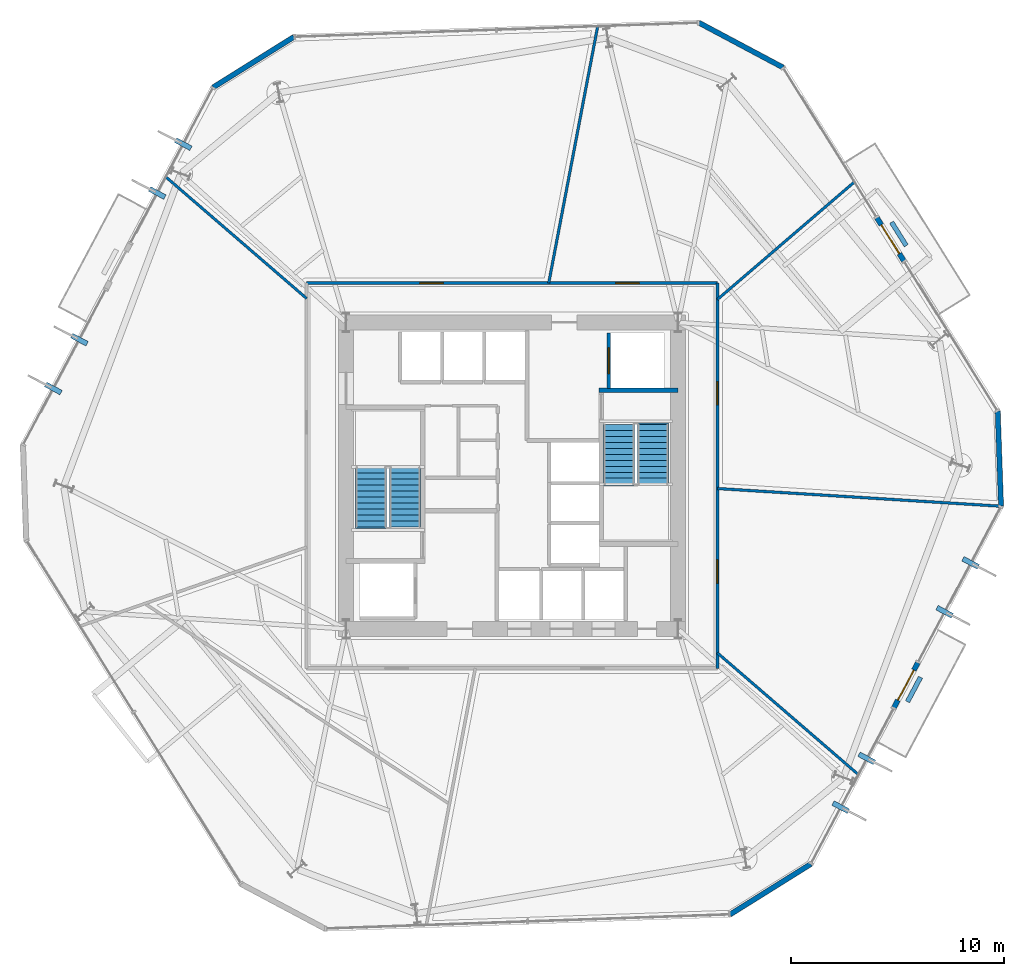
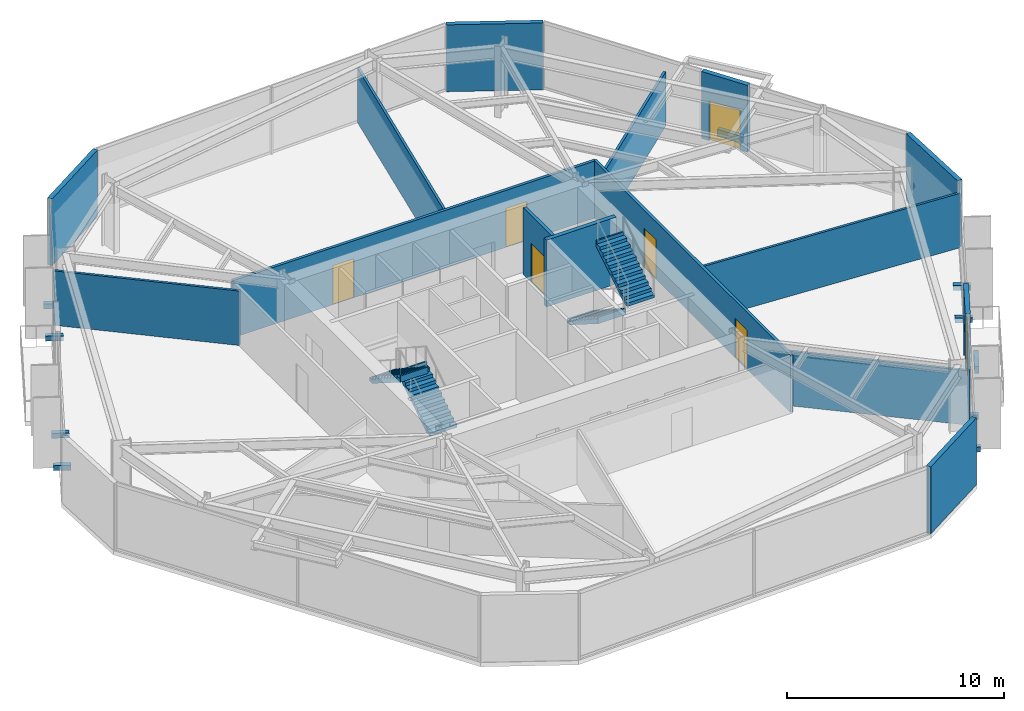
# One storey, part 7 of 10: 17 walls, 8 discrete accessories, 7 doors, 4 stair flights, 7 openings, 2 elements without a shape of their own.
"""IFC4 building model written with IfcOpenShell, lengths in metres."""

from ifc_helpers import new_model, si_unit, direction, frame, frame_2d, origin, origin_2d, place, context, subcontext, project, spatial, polyline, rectangle, outline, extrude, material, layer, layer_set, type_object, element, fill, aggregate, save


model = new_model("IFC4")

# Units and contexts
model_context = context("Model", 3, precision=1e-05, world=origin(), true_north=direction((0.0, 1.0)))
body_context = subcontext(model_context, "Body", "Model", "MODEL_VIEW")
ifc_project = project(units=[si_unit("LENGTHUNIT", "METRE"), si_unit("AREAUNIT", "SQUARE_METRE"), si_unit("VOLUMEUNIT", "CUBIC_METRE"), si_unit("PLANEANGLEUNIT", "RADIAN"), si_unit("MASSUNIT", "GRAM", prefix="KILO")], contexts=[model_context])

# Site, building, storey
site_placement = place(None, origin())
site = spatial("IfcSite", under=ifc_project, at=site_placement, CompositionType="ELEMENT")
building_placement = place(site_placement, origin())
building = spatial("IfcBuilding", under=site, at=building_placement, Name="Kranzbogen Civic Tower", CompositionType="ELEMENT")
storey_placement = place(building_placement, frame((0.0, 0.0, 28.0)))
storey = spatial("IfcBuildingStorey", under=building, at=storey_placement, Name="L06", CompositionType="ELEMENT", Elevation=28.0)

# Wall, openings, doors
ifc_material_1 = material(Name="Double-Stud Acoustic Gypsum Partition")
ifc_layer_1 = layer(ifc_material_1, 0.14990234375, Name="Double-Stud Acoustic Gypsum Partition")
ifc_layer_set_1 = layer_set([ifc_layer_1], Name="Double-Stud Acoustic Gypsum Partition")
wall_type_1 = type_object("IfcWallType", Name="Acoustic Corridor and Clinical Partition 150 mm", PredefinedType="PARTITIONING", material=ifc_layer_set_1)
wall_1_placement = place(storey_placement, frame((15.35009765625, 34.050048828125, 0.0), z_axis=(0.0, 0.0, 1.0), x_axis=(1.0, 0.0, 0.0)))
wall_1 = element("IfcWall", 1, at=wall_1_placement, inside=storey, type_object=wall_type_1, Name="L06 corridor partition 01", PredefinedType="PARTITIONING", context=body_context, shape_type="SweptSolid", body=[
    extrude(rectangle(XDim=19.2998046875, YDim=0.14990234375, at=frame_2d((9.64990234375, 0.0))), origin(), (0.0, 0.0, 1.0), 3.2099609375),
])
opening_1_placement = place(wall_1_placement, frame((14.52294921875, 0.0, 0.0)))
opening_1 = element("IfcOpeningElement", 2, at=opening_1_placement, cuts=wall_1, Name="Opening D-COR60", PredefinedType="OPENING", context=body_context, shape_type="SweptSolid", body=[
    extrude(rectangle(XDim=1.10009765625, YDim=2.199951171875, at=frame_2d((0.550048828125, 1.10009765625))), frame((0.0, 0.0849609375, 0.0), z_axis=(0.0, -1.0, 0.0), x_axis=(1.0, 0.0, 0.0)), (0.0, 0.0, 1.0), 0.169921875),
])
opening_2_placement = place(wall_1_placement, frame((5.326904296875, 0.0, 0.0)))
opening_2 = element("IfcOpeningElement", 3, at=opening_2_placement, cuts=wall_1, Name="Opening D-COR60", PredefinedType="OPENING", context=body_context, shape_type="SweptSolid", body=[
    extrude(rectangle(XDim=1.10009765625, YDim=2.199951171875, at=frame_2d((0.550048828125, 1.10009765625))), frame((0.0, 0.0849609375, 0.0), z_axis=(0.0, -1.0, 0.0), x_axis=(1.0, 0.0, 0.0)), (0.0, 0.0, 1.0), 0.169921875),
])
ifc_material_2 = material(Name="Oak Timber and Fire Core", Category="wood")
door_type_1 = type_object("IfcDoorType", Name="Corridor Acoustic Fire Door 1100x2200", OperationType="NOTDEFINED", PredefinedType="DOOR", material=ifc_material_2)
door_1_placement = place(opening_1_placement, origin())
door_1 = element("IfcDoor", 4, at=door_1_placement, inside=storey, type_object=door_type_1, Name="L06 Policy Seminar Room door", OperationType="SINGLE_SWING_RIGHT", OverallHeight=2.199951171875, OverallWidth=1.10009765625, PredefinedType="DOOR", context=body_context, shape_type="SweptSolid", body=[
    extrude(rectangle(XDim=1.10009765625, YDim=2.199951171875, at=frame_2d((0.550048828125, 1.10009765625))), frame((0.0, 0.02490234375, 0.0), z_axis=(0.0, -1.0, 0.0), x_axis=(1.0, 0.0, 0.0)), (0.0, 0.0, 1.0), 0.050048828125),
])
fill(opening_1, door_1)
door_2_placement = place(opening_2_placement, origin())
door_2 = element("IfcDoor", 5, at=door_2_placement, inside=storey, type_object=door_type_1, Name="L06 Delegates Sitting Lounge door", OperationType="SINGLE_SWING_LEFT", OverallHeight=2.199951171875, OverallWidth=1.10009765625, PredefinedType="DOOR", context=body_context, shape_type="SweptSolid", body=[
    extrude(rectangle(XDim=1.10009765625, YDim=2.199951171875, at=frame_2d((0.550048828125, 1.10009765625))), frame((0.0, 0.02490234375, 0.0), z_axis=(0.0, -1.0, 0.0), x_axis=(1.0, 0.0, 0.0)), (0.0, 0.0, 1.0), 0.050048828125),
])
fill(opening_2, door_2)

wall_2_placement = place(storey_placement, frame((34.64990234375, 34.050048828125, 0.0), z_axis=(0.0, 0.0, 1.0), x_axis=(0.0, -1.0, 0.0)))
wall_2 = element("IfcWall", 6, at=wall_2_placement, inside=storey, type_object=wall_type_1, Name="L06 corridor partition 02", PredefinedType="PARTITIONING", context=body_context, shape_type="SweptSolid", body=[
    extrude(rectangle(XDim=18.10009765625, YDim=0.14990234375, at=frame_2d((9.050048828125, 0.0))), origin(), (0.0, 0.0, 1.0), 3.2099609375),
])
opening_3_placement = place(wall_2_placement, frame((13.006103515625, 0.0, 0.0)))
opening_3 = element("IfcOpeningElement", 7, at=opening_3_placement, cuts=wall_2, Name="Opening D-COR60", PredefinedType="OPENING", context=body_context, shape_type="SweptSolid", body=[
    extrude(rectangle(XDim=1.10009765625, YDim=2.199951171875, at=frame_2d((0.550048828125, 1.10009765625))), frame((0.0, 0.0849609375, 0.0), z_axis=(0.0, -1.0, 0.0), x_axis=(1.0, 0.0, 0.0)), (0.0, 0.0, 1.0), 0.169921875),
])
opening_4_placement = place(wall_2_placement, frame((4.6259765625, 0.0, 0.0)))
opening_4 = element("IfcOpeningElement", 8, at=opening_4_placement, cuts=wall_2, Name="Opening D-COR60", PredefinedType="OPENING", context=body_context, shape_type="SweptSolid", body=[
    extrude(rectangle(XDim=1.10009765625, YDim=2.199951171875, at=frame_2d((0.550048828125, 1.10009765625))), frame((0.0, 0.0849609375, 0.0), z_axis=(0.0, -1.0, 0.0), x_axis=(1.0, 0.0, 0.0)), (0.0, 0.0, 1.0), 0.169921875),
])
door_3_placement = place(opening_3_placement, origin())
door_3 = element("IfcDoor", 9, at=door_3_placement, inside=storey, type_object=door_type_1, Name="L06 Executive Briefing Conference Room door", OperationType="SINGLE_SWING_RIGHT", OverallHeight=2.199951171875, OverallWidth=1.10009765625, PredefinedType="DOOR", context=body_context, shape_type="SweptSolid", body=[
    extrude(rectangle(XDim=1.10009765625, YDim=2.199951171875, at=frame_2d((0.550048828125, 1.10009765625))), frame((0.0, 0.02490234375, 0.0), z_axis=(0.0, -1.0, 0.0), x_axis=(1.0, 0.0, 0.0)), (0.0, 0.0, 1.0), 0.050048828125),
])
fill(opening_3, door_3)
door_4_placement = place(opening_4_placement, origin())
door_4 = element("IfcDoor", 10, at=door_4_placement, inside=storey, type_object=door_type_1, Name="L06 Parliamentary Review Boardroom door", OperationType="SINGLE_SWING_LEFT", OverallHeight=2.199951171875, OverallWidth=1.10009765625, PredefinedType="DOOR", context=body_context, shape_type="SweptSolid", body=[
    extrude(rectangle(XDim=1.10009765625, YDim=2.199951171875, at=frame_2d((0.550048828125, 1.10009765625))), frame((0.0, 0.02490234375, 0.0), z_axis=(0.0, -1.0, 0.0), x_axis=(1.0, 0.0, 0.0)), (0.0, 0.0, 1.0), 0.050048828125),
])
fill(opening_4, door_4)

# Walls
ifc_material_3 = material(Name="Insulated Metal-Stud Gypsum Partition")
ifc_layer_2 = layer(ifc_material_3, 0.125, Name="Insulated Metal-Stud Gypsum Partition")
ifc_layer_set_2 = layer_set([ifc_layer_2], Name="Insulated Metal-Stud Gypsum Partition")
wall_type_2 = type_object("IfcWallType", Name="Acoustic Inter-Room Partition 125 mm", PredefinedType="PARTITIONING", material=ifc_layer_set_2)
wall_3_placement = place(storey_placement, frame((34.64990234375, 33.278076171875, 0.0), z_axis=(0.0, 0.0, 1.0), x_axis=(0.758961436241, 0.651135575974, 0.0)))
element("IfcWall", 11, at=wall_3_placement, inside=storey, type_object=wall_type_2, Name="L06 radial room partition 01", PredefinedType="PARTITIONING", context=body_context, shape_type="SweptSolid", body=[
    extrude(rectangle(XDim=8.46826171875, YDim=0.125, at=frame_2d((4.234130859375, 0.0))), origin(), (0.0, 0.0, 1.0), 3.050048828125),
])
wall_4_placement = place(storey_placement, frame((26.72509765625, 34.050048828125, 0.0), z_axis=(0.0, 0.0, 1.0), x_axis=(0.187302392837, 0.982302302572, 0.0)))
element("IfcWall", 12, at=wall_4_placement, inside=storey, type_object=wall_type_2, Name="L06 radial room partition 02", PredefinedType="PARTITIONING", context=body_context, shape_type="SweptSolid", body=[
    extrude(rectangle(XDim=12.262939453125, YDim=0.125, at=frame_2d((6.13134765625, 0.0))), origin(), (0.0, 0.0, 1.0), 3.06005859375),
])
for number, where, z_axis, x_axis, name in (
    (13, (15.35009765625, 33.327880859375, 0.0), (0.0, 0.0, 1.0), (-0.757044964205, 0.65336277991, 0.0), "L06 radial room partition 03"),
    (14, (34.64990234375, 16.672119140625, 0.0), (0.0, 0.0, 1.0), (0.757044964205, -0.65336277991, 0.0), "L06 radial room partition 06"),
):
    element("IfcWall", number, at=place(storey_placement, frame(where, z_axis=z_axis, x_axis=x_axis)), inside=storey, type_object=wall_type_2, Name=name, PredefinedType="PARTITIONING", context=body_context, shape_type="SweptSolid", body=[
        extrude(rectangle(XDim=8.728759765625, YDim=0.125, at=frame_2d((4.3642578125, 0.0))), origin(), (0.0, 0.0, 1.0), 3.06005859375),
    ])
wall_5_placement = place(storey_placement, frame((34.64990234375, 24.39697265625, 0.0), z_axis=(0.0, 0.0, 1.0), x_axis=(0.998055285193, -0.062334963686, 0.0)))
element("IfcWall", 15, at=wall_5_placement, inside=storey, type_object=wall_type_2, Name="L06 radial room partition 07", PredefinedType="PARTITIONING", context=body_context, shape_type="SweptSolid", body=[
    extrude(rectangle(XDim=13.33203125, YDim=0.125, at=frame_2d((6.666015625, 0.0))), origin(), (0.0, 0.0, 1.0), 3.06005859375),
])
ifc_material_4 = material(Name="Architectural Precast Terracotta Concrete C40/50", Category="masonry")
ifc_layer_3 = layer(ifc_material_4, 0.219970703125, Name="Architectural Precast Terracotta Concrete C40/50")
ifc_layer_set_3 = layer_set([ifc_layer_3], Name="Architectural Precast Terracotta Concrete C40/50")
wall_type_3 = type_object("IfcWallType", Name="Architectural Tree Planter Kerb Wall 220 mm", PredefinedType="USERDEFINED", material=ifc_layer_set_3)
wall_6_placement = place(storey_placement, frame((43.5830078125, 14.383056640625, 0.0), z_axis=(0.0, 0.0, 1.0), x_axis=(0.4693108362, 0.883033033938, 0.0)))
element("IfcWall", 16, at=wall_6_placement, inside=storey, type_object=wall_type_3, Name="L06 landscaped tree balcony planter L06-TB2", ObjectType="PLANTER_WALL", PredefinedType="USERDEFINED", context=body_context, shape_type="SweptSolid", body=[
    extrude(rectangle(XDim=1.300048828125, YDim=0.219970703125, at=frame_2d((0.64990234375, 0.0))), origin(), (0.0, 0.0, 1.0), 0.39990234375),
])
wall_7_placement = place(storey_placement, frame((43.52099609375, 35.806884765625, 0.0), z_axis=(0.0, 0.0, 1.0), x_axis=(-0.52955968417, 0.848272680747, 0.0)))
element("IfcWall", 17, at=wall_7_placement, inside=storey, type_object=wall_type_3, Name="L06 landscaped tree balcony planter L06-ST", ObjectType="PLANTER_WALL", PredefinedType="USERDEFINED", context=body_context, shape_type="SweptSolid", body=[
    extrude(rectangle(XDim=1.299072265625, YDim=0.219970703125, at=frame_2d((0.6494140625, 0.0))), origin(), (0.0, 0.0, 1.0), 0.39990234375),
])
ifc_material_5 = material(Name="Concrete C45/55", Category="concrete")
ifc_layer_4 = layer(ifc_material_5, 0.219970703125, Name="Concrete C45/55")
ifc_layer_set_4 = layer_set([ifc_layer_4], Name="Concrete C45/55")
wall_type_4 = type_object("IfcWallType", Name="Core Internal Stair Structural Wall 220 mm", PredefinedType="SOLIDWALL", material=ifc_layer_set_4)
wall_8_placement = place(storey_placement, frame((29.080078125, 29.010009765625, 0.0), z_axis=(0.0, 0.0, 1.0), x_axis=(1.0, 0.0, 0.0)))
element("IfcWall", 18, at=wall_8_placement, inside=storey, type_object=wall_type_4, Name="L06 ST-T2 North structural stair wall", PredefinedType="SOLIDWALL", context=body_context, shape_type="SweptSolid", body=[
    extrude(rectangle(XDim=3.719970703125, YDim=0.219970703125, at=frame_2d((1.85986328125, 0.0))), origin(), (0.0, 0.0, 1.0), 3.760009765625),
])

# Wall, opening, door
ifc_material_6 = material(Name="Gypsum Fireboard Shaftliner")
ifc_layer_5 = layer(ifc_material_6, 0.175048828125, Name="Gypsum Fireboard Shaftliner")
ifc_layer_set_5 = layer_set([ifc_layer_5], Name="Gypsum Fireboard Shaftliner")
wall_type_5 = type_object("IfcWallType", Name="Fire-Rated Lift and Service Shaft Wall 175 mm", PredefinedType="PARTITIONING", material=ifc_layer_set_5)
wall_9_placement = place(storey_placement, frame((29.550048828125, 29.10009765625, 0.0), z_axis=(0.0, 0.0, 1.0), x_axis=(0.0, 1.0, 0.0)))
wall_9 = element("IfcWall", 19, at=wall_9_placement, inside=storey, type_object=wall_type_5, Name="L06 lift FF-02 landing wall", PredefinedType="PARTITIONING", context=body_context, shape_type="SweptSolid", body=[
    extrude(rectangle(XDim=2.599853515625, YDim=0.175048828125, at=frame_2d((1.2998046875, 0.0))), origin(), (0.0, 0.0, 1.0), 3.760009765625),
])
opening_5_placement = place(wall_9_placement, frame((0.699951171875, 0.0, 0.0)))
opening_5 = element("IfcOpeningElement", 20, at=opening_5_placement, cuts=wall_9, Name="Opening LD-FF-02", PredefinedType="OPENING", context=body_context, shape_type="SweptSolid", body=[
    extrude(rectangle(XDim=1.199951171875, YDim=2.199951171875, at=frame_2d((0.60009765625, 1.10009765625))), frame((0.0, 0.09765625, 0.0), z_axis=(0.0, -1.0, 0.0), x_axis=(1.0, 0.0, 0.0)), (0.0, 0.0, 1.0), 0.195068359375),
])
ifc_material_7 = material(Name="Pale Anodised Aluminium", Category="aluminium")
door_type_2 = type_object("IfcDoorType", Name="Firefighting and Stretcher Lift Sliding Landing Door 1200x2200", OperationType="DOUBLE_DOOR_SLIDING", PredefinedType="DOOR", material=ifc_material_7)
door_5_placement = place(opening_5_placement, origin())
door_5 = element("IfcDoor", 21, at=door_5_placement, inside=storey, type_object=door_type_2, Name="L06 lift FF-02 sliding landing door", OperationType="DOUBLE_DOOR_SLIDING", OverallHeight=2.199951171875, OverallWidth=1.199951171875, PredefinedType="DOOR", context=body_context, shape_type="SweptSolid", body=[
    extrude(rectangle(XDim=1.199951171875, YDim=2.199951171875, at=frame_2d((0.60009765625, 1.10009765625))), frame((0.0, 0.02490234375, 0.0), z_axis=(0.0, -1.0, 0.0), x_axis=(1.0, 0.0, 0.0)), (0.0, 0.0, 1.0), 0.050048828125),
])
fill(opening_5, door_5)

ifc_layer_6 = layer(ifc_material_7, 0.239990234375, Name="Pale Anodised Aluminium")
ifc_layer_set_6 = layer_set([ifc_layer_6], Name="Pale Anodised Aluminium")
wall_type_6 = type_object("IfcWallType", Name="Insulated Aluminium Facade Portal Wall 240 mm", PredefinedType="STANDARD", material=ifc_layer_set_6)
wall_10_placement = place(storey_placement, frame((43.410888671875, 35.089111328125, 0.0), z_axis=(0.0, 0.0, 1.0), x_axis=(-0.530044663287, 0.847969725239, 0.0)))
wall_10 = element("IfcWall", 22, at=wall_10_placement, inside=storey, type_object=wall_type_6, Name="L06 exterior entrance portal wall 1", PredefinedType="STANDARD", context=body_context, shape_type="SweptSolid", body=[
    extrude(rectangle(XDim=2.399658203125, YDim=0.239990234375, at=frame_2d((1.19970703125, 0.0))), origin(), (0.0, 0.0, 1.0), 3.760009765625),
])
opening_6_placement = place(wall_10_placement, frame((0.39990234375, 0.0, 0.0)))
opening_6 = element("IfcOpeningElement", 23, at=opening_6_placement, cuts=wall_10, Name="Opening D-TER", PredefinedType="OPENING", context=body_context, shape_type="SweptSolid", body=[
    extrude(rectangle(XDim=1.60009765625, YDim=2.25, at=frame_2d((0.800048828125, 1.125))), frame((0.0, 0.1298828125, 0.0), z_axis=(0.0, -1.0, 0.0), x_axis=(1.0, 0.0, 0.0)), (0.0, 0.0, 1.0), 0.260009765625),
])
ifc_material_8 = material(Name="Anodised Bronze and Triple Glass", Category="glass")
door_type_3 = type_object("IfcDoorType", Name="Glazed Terrace and Balcony Double Door 1600x2250", OperationType="DOUBLE_DOOR_SINGLE_SWING", PredefinedType="DOOR", material=ifc_material_8)
door_6_placement = place(opening_6_placement, frame((1.60009765625, 0.0, 0.0), z_axis=(0.0, 0.0, 1.0), x_axis=(-1.0, 0.0, 0.0)))
door_6 = element("IfcDoor", 24, at=door_6_placement, inside=storey, type_object=door_type_3, Name="L06 spiral terrace access door L06-ST", OperationType="DOUBLE_DOOR_SINGLE_SWING", OverallHeight=2.25, OverallWidth=1.60009765625, PredefinedType="DOOR", context=body_context, shape_type="SweptSolid", body=[
    extrude(rectangle(XDim=1.60009765625, YDim=2.25, at=frame_2d((0.800048828125, 1.125))), frame((0.0, 0.02490234375, 0.0), z_axis=(0.0, -1.0, 0.0), x_axis=(1.0, 0.0, 0.0)), (0.0, 0.0, 1.0), 0.050048828125),
])
fill(opening_6, door_6)

# Walls
wall_11_placement = place(storey_placement, frame((37.73095703125, 44.178955078125, 0.0), z_axis=(0.0, 0.0, 1.0), x_axis=(-0.882820866688, 0.469709822486, 0.0)))
element("IfcWall", 25, at=wall_11_placement, inside=storey, type_object=wall_type_6, Name="L06 chamfered corner facade spandrel 1", PredefinedType="STANDARD", context=body_context, shape_type="SweptSolid", body=[
    extrude(rectangle(XDim=4.47314453125, YDim=0.239990234375, at=frame_2d((2.236572265625, 0.0))), origin(), (0.0, 0.0, 1.0), 3.760009765625),
])
for number, where, z_axis, x_axis, name in (
    (26, (14.7548828125, 45.614990234375, 0.0), (0.0, 0.0, 1.0), (-0.848071896995, -0.529881173026, 0.0), "L06 chamfered corner facade spandrel 2"),
    (27, (35.2451171875, 4.385009765625, 0.0), (0.0, 0.0, 1.0), (0.848071896995, 0.529881173026, 0.0), "L06 chamfered corner facade spandrel 5"),
):
    element("IfcWall", number, at=place(storey_placement, frame(where, z_axis=z_axis, x_axis=x_axis)), inside=storey, type_object=wall_type_6, Name=name, PredefinedType="STANDARD", context=body_context, shape_type="SweptSolid", body=[
        extrude(rectangle(XDim=4.472412109375, YDim=0.239990234375, at=frame_2d((2.236328125, 0.0))), origin(), (0.0, 0.0, 1.0), 3.760009765625),
    ])

# Wall, opening, door
wall_12_placement = place(storey_placement, frame((42.943115234375, 14.10107421875, 0.0), z_axis=(0.0, 0.0, 1.0), x_axis=(0.469574169619, 0.88289302819, 0.0)))
wall_12 = element("IfcWall", 28, at=wall_12_placement, inside=storey, type_object=wall_type_6, Name="L06 exterior entrance portal wall 1", PredefinedType="STANDARD", context=body_context, shape_type="SweptSolid", body=[
    extrude(rectangle(XDim=2.39990234375, YDim=0.239990234375, at=frame_2d((1.199951171875, 0.0))), origin(), (0.0, 0.0, 1.0), 3.760009765625),
])
opening_7_placement = place(wall_12_placement, frame((0.39990234375, 0.0, 0.0)))
opening_7 = element("IfcOpeningElement", 29, at=opening_7_placement, cuts=wall_12, Name="Opening D-TER", PredefinedType="OPENING", context=body_context, shape_type="SweptSolid", body=[
    extrude(rectangle(XDim=1.60009765625, YDim=2.25, at=frame_2d((0.800048828125, 1.125))), frame((0.0, 0.1298828125, 0.0), z_axis=(0.0, -1.0, 0.0), x_axis=(1.0, 0.0, 0.0)), (0.0, 0.0, 1.0), 0.260009765625),
])
door_7_placement = place(opening_7_placement, frame((1.60009765625, 0.0, 0.0), z_axis=(0.0, 0.0, 1.0), x_axis=(-1.0, 0.0, 0.0)))
door_7 = element("IfcDoor", 30, at=door_7_placement, inside=storey, type_object=door_type_3, Name="L06 tree balcony access door L06-TB2", OperationType="DOUBLE_DOOR_SINGLE_SWING", OverallHeight=2.25, OverallWidth=1.60009765625, PredefinedType="DOOR", context=body_context, shape_type="SweptSolid", body=[
    extrude(rectangle(XDim=1.60009765625, YDim=2.25, at=frame_2d((0.800048828125, 1.125))), frame((0.0, 0.02490234375, 0.0), z_axis=(0.0, -1.0, 0.0), x_axis=(1.0, 0.0, 0.0)), (0.0, 0.0, 1.0), 0.050048828125),
])
fill(opening_7, door_7)

# Wall
wall_13_placement = place(storey_placement, frame((47.97509765625, 23.56494140625, 0.0), z_axis=(0.0, 0.0, 1.0), x_axis=(-0.034879631963, 0.999391520513, 0.0)))
element("IfcWall", 31, at=wall_13_placement, inside=storey, type_object=wall_type_6, Name="L06 chamfered corner facade spandrel 6", PredefinedType="STANDARD", context=body_context, shape_type="SweptSolid", body=[
    extrude(rectangle(XDim=4.47265625, YDim=0.239990234375, at=frame_2d((2.236328125, 0.0))), origin(), (0.0, 0.0, 1.0), 3.760009765625),
])

# Stair, stair flights
ifc_material_9 = material(Name="Precast concrete C40/50", Category="concrete")
stair_type_1 = type_object("IfcStairType", Name="Tower Core Pressurized Dogleg Stair 1450", PredefinedType="HALF_TURN_STAIR", material=ifc_material_9)
stair_1_placement = place(storey_placement, origin())
stair_1 = element("IfcStair", 32, at=stair_1_placement, inside=storey, type_object=stair_type_1, Name="L06 Tower Core Pressurized Stair 1", PredefinedType="HALF_TURN_STAIR")
stair_flight_type = type_object("IfcStairFlightType", Name="Precast Concrete Stair Flight R180", PredefinedType="STRAIGHT", material=ifc_material_9)
stair_flight_1_placement = place(storey_placement, frame((19.97509765625, 22.60009765625, 0.0), z_axis=(0.0, 0.0, 1.0), x_axis=(0.0, 1.0, 0.0)))
stair_flight_1 = element("IfcStairFlight", 33, at=stair_flight_1_placement, type_object=stair_flight_type, Name="ST-T1 flight 1", NumberOfRisers=11, NumberOfTreads=10, PredefinedType="STRAIGHT", RiserHeight=0.181818182, TreadLength=0.28, context=body_context, shape_type="SweptSolid", body=[
    extrude(outline(polyline([(0.0, 0.0), (0.0, 0.181884765625), (0.280029296875, 0.181884765625), (0.280029296875, 0.363525390625), (0.56005859375, 0.363525390625), (0.56005859375, 0.54541015625), (0.840087890625, 0.54541015625), (0.840087890625, 0.727294921875), (1.1201171875, 0.727294921875), (1.1201171875, 0.9091796875), (1.39990234375, 0.9091796875), (1.39990234375, 1.0908203125), (1.679931640625, 1.0908203125), (1.679931640625, 1.272705078125), (1.9599609375, 1.272705078125), (1.9599609375, 1.45458984375), (2.239990234375, 1.45458984375), (2.239990234375, 1.636474609375), (2.52001953125, 1.636474609375), (2.52001953125, 1.818115234375), (2.800048828125, 1.818115234375), (2.800048828125, 2.0), (2.880126953125, 2.0), (2.880126953125, 1.639404296875), (0.275146484375, 0.0), (0.0, 0.0)])), frame((0.0, 0.72509765625, 0.0), z_axis=(0.0, -1.0, 0.0), x_axis=(1.0, 0.0, 0.0)), (0.0, 0.0, 1.0), 1.449951171875),
])
stair_flight_2_placement = place(storey_placement, frame((18.375, 25.39990234375, 2.0), z_axis=(0.0, 0.0, 1.0), x_axis=(0.0, -1.0, 0.0)))
stair_flight_2 = element("IfcStairFlight", 34, at=stair_flight_2_placement, type_object=stair_flight_type, Name="ST-T1 flight 2", NumberOfRisers=11, NumberOfTreads=10, PredefinedType="STRAIGHT", RiserHeight=0.181818182, TreadLength=0.28, context=body_context, shape_type="SweptSolid", body=[
    extrude(outline(polyline([(0.0, 0.0), (0.0, 0.181884765625), (0.280029296875, 0.181884765625), (0.280029296875, 0.363525390625), (0.56005859375, 0.363525390625), (0.56005859375, 0.54541015625), (0.840087890625, 0.54541015625), (0.840087890625, 0.727294921875), (1.1201171875, 0.727294921875), (1.1201171875, 0.9091796875), (1.39990234375, 0.9091796875), (1.39990234375, 1.0908203125), (1.679931640625, 1.0908203125), (1.679931640625, 1.272705078125), (1.9599609375, 1.272705078125), (1.9599609375, 1.45458984375), (2.239990234375, 1.45458984375), (2.239990234375, 1.636474609375), (2.52001953125, 1.636474609375), (2.52001953125, 1.818115234375), (2.800048828125, 1.818115234375), (2.800048828125, 2.0), (2.880126953125, 2.0), (2.880126953125, 1.639404296875), (0.275146484375, 0.0), (0.0, 0.0)])), frame((0.0, 0.72509765625, 0.0), z_axis=(0.0, -1.0, 0.0), x_axis=(1.0, 0.0, 0.0)), (0.0, 0.0, 1.0), 1.449951171875),
])
aggregate(stair_1, [stair_flight_1, stair_flight_2])

stair_type_2 = type_object("IfcStairType", Name="Tower Core Secondary Dogleg Stair 1450", PredefinedType="HALF_TURN_STAIR", material=ifc_material_9)
stair_2_placement = place(storey_placement, origin())
stair_2 = element("IfcStair", 35, at=stair_2_placement, inside=storey, type_object=stair_type_2, Name="L06 Tower Core Pressurized Stair 2", PredefinedType="HALF_TURN_STAIR")
stair_flight_3_placement = place(storey_placement, frame((30.02490234375, 27.39990234375, 0.0), z_axis=(0.0, 0.0, 1.0), x_axis=(0.0, -1.0, 0.0)))
stair_flight_3 = element("IfcStairFlight", 36, at=stair_flight_3_placement, type_object=stair_flight_type, Name="ST-T2 flight 1", NumberOfRisers=11, NumberOfTreads=10, PredefinedType="STRAIGHT", RiserHeight=0.181818182, TreadLength=0.28, context=body_context, shape_type="SweptSolid", body=[
    extrude(outline(polyline([(0.0, 0.0), (0.0, 0.181884765625), (0.280029296875, 0.181884765625), (0.280029296875, 0.363525390625), (0.56005859375, 0.363525390625), (0.56005859375, 0.54541015625), (0.840087890625, 0.54541015625), (0.840087890625, 0.727294921875), (1.1201171875, 0.727294921875), (1.1201171875, 0.9091796875), (1.39990234375, 0.9091796875), (1.39990234375, 1.0908203125), (1.679931640625, 1.0908203125), (1.679931640625, 1.272705078125), (1.9599609375, 1.272705078125), (1.9599609375, 1.45458984375), (2.239990234375, 1.45458984375), (2.239990234375, 1.636474609375), (2.52001953125, 1.636474609375), (2.52001953125, 1.818115234375), (2.800048828125, 1.818115234375), (2.800048828125, 2.0), (2.880126953125, 2.0), (2.880126953125, 1.639404296875), (0.275146484375, 0.0), (0.0, 0.0)])), frame((0.0, 0.72509765625, 0.0), z_axis=(0.0, -1.0, 0.0), x_axis=(1.0, 0.0, 0.0)), (0.0, 0.0, 1.0), 1.449951171875),
])
stair_flight_4_placement = place(storey_placement, frame((31.625, 24.60009765625, 2.0), z_axis=(0.0, 0.0, 1.0), x_axis=(0.0, 1.0, 0.0)))
stair_flight_4 = element("IfcStairFlight", 37, at=stair_flight_4_placement, type_object=stair_flight_type, Name="ST-T2 flight 2", NumberOfRisers=11, NumberOfTreads=10, PredefinedType="STRAIGHT", RiserHeight=0.181818182, TreadLength=0.28, context=body_context, shape_type="SweptSolid", body=[
    extrude(outline(polyline([(0.0, 0.0), (0.0, 0.181884765625), (0.280029296875, 0.181884765625), (0.280029296875, 0.363525390625), (0.56005859375, 0.363525390625), (0.56005859375, 0.54541015625), (0.840087890625, 0.54541015625), (0.840087890625, 0.727294921875), (1.1201171875, 0.727294921875), (1.1201171875, 0.9091796875), (1.39990234375, 0.9091796875), (1.39990234375, 1.0908203125), (1.679931640625, 1.0908203125), (1.679931640625, 1.272705078125), (1.9599609375, 1.272705078125), (1.9599609375, 1.45458984375), (2.239990234375, 1.45458984375), (2.239990234375, 1.636474609375), (2.52001953125, 1.636474609375), (2.52001953125, 1.818115234375), (2.800048828125, 1.818115234375), (2.800048828125, 2.0), (2.880126953125, 2.0), (2.880126953125, 1.639404296875), (0.275146484375, 0.0), (0.0, 0.0)])), frame((0.0, 0.72509765625, 0.0), z_axis=(0.0, -1.0, 0.0), x_axis=(1.0, 0.0, 0.0)), (0.0, 0.0, 1.0), 1.449951171875),
])
aggregate(stair_2, [stair_flight_3, stair_flight_4])

# Discrete accessories
ifc_material_10 = material(Name="Steel S355", Category="steel")
discrete_accessory_type = type_object("IfcDiscreteAccessoryType", Name="Structural Curtain-Wall Fin Support Bracket", PredefinedType="BRACKET", material=ifc_material_10)
for number, where, z_axis, x_axis, name in (
    (38, (9.555908203125, 40.572998046875, -0.25), (0.0, 0.0, 1.0), (-0.882947592859, 0.469471562786, 0.0), "L06 facade fin support bracket F3-1"),
    (39, (8.3359375, 38.278076171875, -0.25), (0.0, 0.0, 1.0), (-0.882947592859, 0.469471562786, 0.0), "L06 facade fin support bracket F3-2"),
    (40, (4.674072265625, 31.39111328125, -0.25), (0.0, 0.0, 1.0), (-0.882947592859, 0.469471562786, 0.0), "L06 facade fin support bracket F3-5"),
    (41, (3.452880859375, 29.094970703125, -0.25), (0.0, 0.0, 1.0), (-0.882947592859, 0.469471562786, 0.0), "L06 facade fin support bracket F3-6"),
    (42, (40.444091796875, 9.427001953125, -0.25), (0.0, 0.0, 1.0), (0.882947592859, -0.469471562786, 0.0), "L06 facade fin support bracket F6-1"),
    (43, (41.6640625, 11.721923828125, -0.25), (0.0, 0.0, 1.0), (0.882947592859, -0.469471562786, 0.0), "L06 facade fin support bracket F6-2"),
    (44, (45.325927734375, 18.60888671875, -0.25), (0.0, 0.0, 1.0), (0.882947592859, -0.469471562786, 0.0), "L06 facade fin support bracket F6-5"),
    (45, (46.547119140625, 20.905029296875, -0.25), (0.0, 0.0, 1.0), (0.882947592859, -0.469471562786, 0.0), "L06 facade fin support bracket F6-6"),
):
    element("IfcDiscreteAccessory", number, at=place(storey_placement, frame(where, z_axis=z_axis, x_axis=x_axis)), inside=storey, type_object=discrete_accessory_type, Name=name, PredefinedType="BRACKET", context=body_context, shape_type="SweptSolid", body=[
        extrude(rectangle(XDim=0.820068359375, YDim=0.239990234375, at=origin_2d()), origin(), (0.0, 0.0, 1.0), 0.280029296875),
    ])

save(model, "model.ifc")
